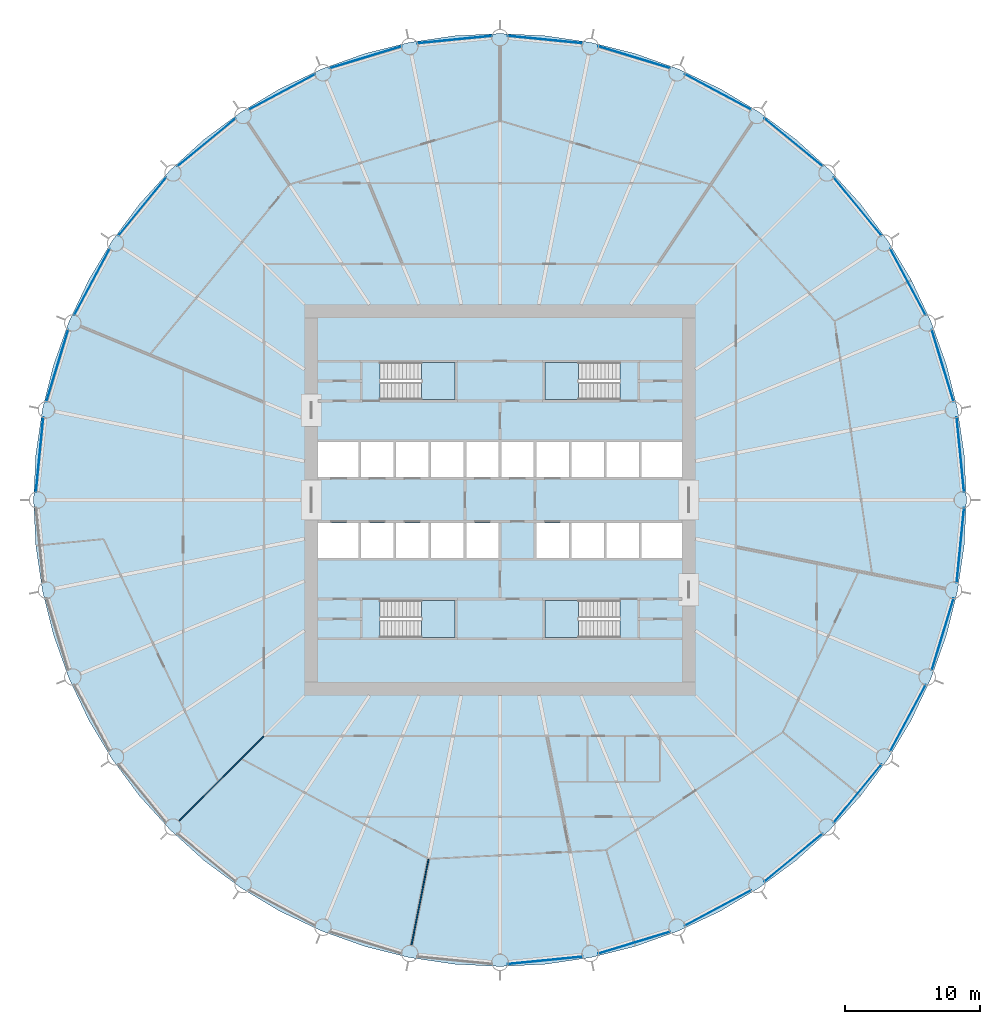
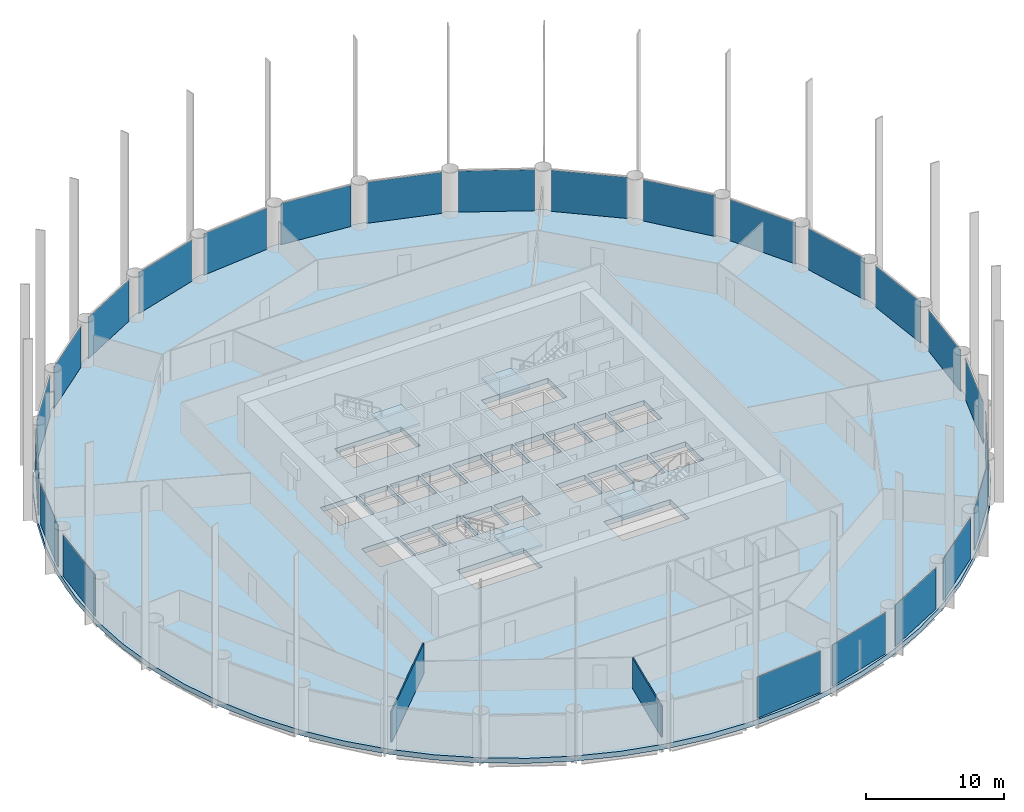
# One storey, part 3 of 10: 24 plates, 5 slabs, 2 walls, 28 elements without a shape of their own.
"""IFC4 building model written with IfcOpenShell, lengths in metres."""

from ifc_helpers import new_model, si_unit, direction, frame, frame_2d, origin, origin_2d, place, context, subcontext, project, spatial, polyline, rectangle, outline, extrude, material, layer, layer_set, type_object, element, aggregate, save


model = new_model("IFC4")

# Units and contexts
model_context = context("Model", 3, precision=1e-05, world=origin(), true_north=direction((0.0, 1.0)))
body_context = subcontext(model_context, "Body", "Model", "MODEL_VIEW")
ifc_project = project(units=[si_unit("LENGTHUNIT", "METRE"), si_unit("AREAUNIT", "SQUARE_METRE"), si_unit("VOLUMEUNIT", "CUBIC_METRE"), si_unit("PLANEANGLEUNIT", "RADIAN"), si_unit("MASSUNIT", "GRAM", prefix="KILO")], contexts=[model_context])

# Site, building, storey
site_placement = place(None, origin())
site = spatial("IfcSite", under=ifc_project, at=site_placement, CompositionType="ELEMENT")
building_placement = place(site_placement, origin())
building = spatial("IfcBuilding", under=site, at=building_placement, Name="Corvane Civic Tower", CompositionType="ELEMENT")
storey_placement = place(building_placement, frame((0.0, 0.0, 90.5)))
storey = spatial("IfcBuildingStorey", under=building, at=storey_placement, Name="L20", CompositionType="ELEMENT", Elevation=90.5)

# Stair, slab
ifc_material_1 = material(Name="Concrete C40/50", Category="concrete")
stair_type = type_object("IfcStairType", Name="ST-STAIR-HALFTURN", PredefinedType="HALF_TURN_STAIR", material=ifc_material_1)
stair_1_placement = place(storey_placement, origin())
stair_1 = element("IfcStair", 1, at=stair_1_placement, inside=storey, type_object=stair_type, Name="L20 Exit stair ST1", PredefinedType="HALF_TURN_STAIR")
ifc_material_2 = material(Name="Concrete C40/50", Category="concrete")
ifc_layer_1 = layer(ifc_material_2, 0.199951171875)
ifc_layer_set_1 = layer_set([ifc_layer_1], Name="Concrete C40/50")
slab_type_1 = type_object("IfcSlabType", Name="ST-LANDING-RC", PredefinedType="LANDING", material=ifc_layer_set_1)
slab_1_placement = place(storey_placement, frame((0.0, 0.0, 1.800048828125)))
slab_1 = element("IfcSlab", 2, at=slab_1_placement, type_object=slab_type_1, Name="ST1 landing 1", PredefinedType="LANDING", context=body_context, shape_type="SweptSolid", body=[
    extrude(outline(polyline([(5.820068359375, 10.199951171875), (3.35009765625, 10.199951171875), (3.35009765625, 7.449951171875), (5.820068359375, 7.449951171875), (5.820068359375, 10.199951171875)])), origin(), (0.0, 0.0, 1.0), 0.199951171875),
])
aggregate(stair_1, [slab_1])

stair_2_placement = place(storey_placement, origin())
stair_2 = element("IfcStair", 3, at=stair_2_placement, inside=storey, type_object=stair_type, Name="L20 Exit stair ST2", PredefinedType="HALF_TURN_STAIR")
slab_2_placement = place(storey_placement, frame((0.0, 0.0, 1.800048828125)))
slab_2 = element("IfcSlab", 4, at=slab_2_placement, type_object=slab_type_1, Name="ST2 landing 1", PredefinedType="LANDING", context=body_context, shape_type="SweptSolid", body=[
    extrude(outline(polyline([(5.820068359375, -7.449951171875), (3.35009765625, -7.449951171875), (3.35009765625, -10.199951171875), (5.820068359375, -10.199951171875), (5.820068359375, -7.449951171875)])), origin(), (0.0, 0.0, 1.0), 0.199951171875),
])
aggregate(stair_2, [slab_2])

stair_3_placement = place(storey_placement, origin())
stair_3 = element("IfcStair", 5, at=stair_3_placement, inside=storey, type_object=stair_type, Name="L20 Exit stair ST3", PredefinedType="HALF_TURN_STAIR")
slab_3_placement = place(storey_placement, frame((0.0, 0.0, 1.800048828125)))
slab_3 = element("IfcSlab", 6, at=slab_3_placement, type_object=slab_type_1, Name="ST3 landing 1", PredefinedType="LANDING", context=body_context, shape_type="SweptSolid", body=[
    extrude(outline(polyline([(-5.820068359375, -10.199951171875), (-3.35009765625, -10.199951171875), (-3.35009765625, -7.449951171875), (-5.820068359375, -7.449951171875), (-5.820068359375, -10.199951171875)])), origin(), (0.0, 0.0, 1.0), 0.199951171875),
])
aggregate(stair_3, [slab_3])

stair_4_placement = place(storey_placement, origin())
stair_4 = element("IfcStair", 7, at=stair_4_placement, inside=storey, type_object=stair_type, Name="L20 Exit stair ST4", PredefinedType="HALF_TURN_STAIR")
slab_4_placement = place(storey_placement, frame((0.0, 0.0, 1.800048828125)))
slab_4 = element("IfcSlab", 8, at=slab_4_placement, type_object=slab_type_1, Name="ST4 landing 1", PredefinedType="LANDING", context=body_context, shape_type="SweptSolid", body=[
    extrude(outline(polyline([(-5.820068359375, 7.449951171875), (-3.35009765625, 7.449951171875), (-3.35009765625, 10.199951171875), (-5.820068359375, 10.199951171875), (-5.820068359375, 7.449951171875)])), origin(), (0.0, 0.0, 1.0), 0.199951171875),
])
aggregate(stair_4, [slab_4])

# Curtain wall, plate
ifc_material_3 = material(Name="Anodised aluminium bronze", Category="aluminium")
curtain_wall_type = type_object("IfcCurtainWallType", Name="TOWER CW-T1 STICK CURTAIN WALL", PredefinedType="NOTDEFINED", material=ifc_material_3)
curtain_wall_1_placement = place(storey_placement, origin())
curtain_wall_1 = element("IfcCurtainWall", 9, at=curtain_wall_1_placement, inside=storey, type_object=curtain_wall_type, Name="Curtain wall CW-T1 L20 bay 01", PredefinedType="NOTDEFINED")
ifc_material_4 = material(Name="Tinted glass", Category="glass")
ifc_layer_2 = layer(ifc_material_4, 0.035888671875)
ifc_layer_set_2 = layer_set([ifc_layer_2], Name="Tinted glass")
plate_type = type_object("IfcPlateType", Name="TOWER CW-T1 PANEL IGU36", PredefinedType="CURTAIN_PANEL", material=ifc_layer_set_2)
plate_1_placement = place(storey_placement, frame((3.36328125, 34.148681640625, 0.0), z_axis=(0.0, 0.0, 1.0), x_axis=(0.995183788169, -0.098026668644, 0.0)))
plate_1 = element("IfcPlate", 10, at=plate_1_placement, type_object=plate_type, Name="Glass panel CW-T1 L20 01.1", PredefinedType="CURTAIN_PANEL", context=body_context, shape_type="SweptSolid", body=[
    extrude(rectangle(XDim=5.58642578125, YDim=0.035888671875, at=origin_2d()), origin(), (0.0, 0.0, 1.0), 3.6298828125),
])
aggregate(curtain_wall_1, [plate_1])

curtain_wall_2_placement = place(storey_placement, origin())
curtain_wall_2 = element("IfcCurtainWall", 11, at=curtain_wall_2_placement, inside=storey, type_object=curtain_wall_type, Name="Curtain wall CW-T1 L20 bay 02", PredefinedType="NOTDEFINED")
plate_2_placement = place(storey_placement, frame((9.9609375, 32.83642578125, 0.0), z_axis=(0.0, 0.0, 1.0), x_axis=(0.956945991488, -0.290266032073, 0.0)))
plate_2 = element("IfcPlate", 12, at=plate_2_placement, type_object=plate_type, Name="Glass panel CW-T1 L20 02.1", PredefinedType="CURTAIN_PANEL", context=body_context, shape_type="SweptSolid", body=[
    extrude(rectangle(XDim=5.58642578125, YDim=0.035888671875, at=origin_2d()), origin(), (0.0, 0.0, 1.0), 3.6298828125),
])
aggregate(curtain_wall_2, [plate_2])

curtain_wall_3_placement = place(storey_placement, origin())
curtain_wall_3 = element("IfcCurtainWall", 13, at=curtain_wall_3_placement, inside=storey, type_object=curtain_wall_type, Name="Curtain wall CW-T1 L20 bay 03", PredefinedType="NOTDEFINED")
plate_3_placement = place(storey_placement, frame((16.175537109375, 30.26220703125, 0.0), z_axis=(0.0, 0.0, 1.0), x_axis=(0.881923642976, -0.471392286699, 0.0)))
plate_3 = element("IfcPlate", 14, at=plate_3_placement, type_object=plate_type, Name="Glass panel CW-T1 L20 03.1", PredefinedType="CURTAIN_PANEL", context=body_context, shape_type="SweptSolid", body=[
    extrude(rectangle(XDim=5.586669921875, YDim=0.035888671875, at=origin_2d()), origin(), (0.0, 0.0, 1.0), 3.6298828125),
])
aggregate(curtain_wall_3, [plate_3])

curtain_wall_4_placement = place(storey_placement, origin())
curtain_wall_4 = element("IfcCurtainWall", 15, at=curtain_wall_4_placement, inside=storey, type_object=curtain_wall_type, Name="Curtain wall CW-T1 L20 bay 04", PredefinedType="NOTDEFINED")
plate_4_placement = place(storey_placement, frame((21.7685546875, 26.525146484375, 0.0), z_axis=(0.0, 0.0, 1.0), x_axis=(0.773013419843, -0.63438966948, 0.0)))
plate_4 = element("IfcPlate", 16, at=plate_4_placement, type_object=plate_type, Name="Glass panel CW-T1 L20 04.1", PredefinedType="CURTAIN_PANEL", context=body_context, shape_type="SweptSolid", body=[
    extrude(rectangle(XDim=5.58642578125, YDim=0.035888671875, at=origin_2d()), origin(), (0.0, 0.0, 1.0), 3.6298828125),
])
aggregate(curtain_wall_4, [plate_4])

curtain_wall_5_placement = place(storey_placement, origin())
curtain_wall_5 = element("IfcCurtainWall", 17, at=curtain_wall_5_placement, inside=storey, type_object=curtain_wall_type, Name="Curtain wall CW-T1 L20 bay 05", PredefinedType="NOTDEFINED")
plate_5_placement = place(storey_placement, frame((26.525146484375, 21.7685546875, 0.0), z_axis=(0.0, 0.0, 1.0), x_axis=(0.63438966948, -0.773013419843, 0.0)))
plate_5 = element("IfcPlate", 18, at=plate_5_placement, type_object=plate_type, Name="Glass panel CW-T1 L20 05.1", PredefinedType="CURTAIN_PANEL", context=body_context, shape_type="SweptSolid", body=[
    extrude(rectangle(XDim=5.58642578125, YDim=0.035888671875, at=origin_2d()), origin(), (0.0, 0.0, 1.0), 3.6298828125),
])
aggregate(curtain_wall_5, [plate_5])

curtain_wall_6_placement = place(storey_placement, origin())
curtain_wall_6 = element("IfcCurtainWall", 19, at=curtain_wall_6_placement, inside=storey, type_object=curtain_wall_type, Name="Curtain wall CW-T1 L20 bay 06", PredefinedType="NOTDEFINED")
plate_6_placement = place(storey_placement, frame((30.26220703125, 16.175537109375, 0.0), z_axis=(0.0, 0.0, 1.0), x_axis=(0.471392286699, -0.881923642976, 0.0)))
plate_6 = element("IfcPlate", 20, at=plate_6_placement, type_object=plate_type, Name="Glass panel CW-T1 L20 06.1", PredefinedType="CURTAIN_PANEL", context=body_context, shape_type="SweptSolid", body=[
    extrude(rectangle(XDim=5.586669921875, YDim=0.035888671875, at=origin_2d()), origin(), (0.0, 0.0, 1.0), 3.6298828125),
])
aggregate(curtain_wall_6, [plate_6])

curtain_wall_7_placement = place(storey_placement, origin())
curtain_wall_7 = element("IfcCurtainWall", 21, at=curtain_wall_7_placement, inside=storey, type_object=curtain_wall_type, Name="Curtain wall CW-T1 L20 bay 07", PredefinedType="NOTDEFINED")
plate_7_placement = place(storey_placement, frame((32.83642578125, 9.9609375, 0.0), z_axis=(0.0, 0.0, 1.0), x_axis=(0.290266032073, -0.956945991488, 0.0)))
plate_7 = element("IfcPlate", 22, at=plate_7_placement, type_object=plate_type, Name="Glass panel CW-T1 L20 07.1", PredefinedType="CURTAIN_PANEL", context=body_context, shape_type="SweptSolid", body=[
    extrude(rectangle(XDim=5.58642578125, YDim=0.035888671875, at=origin_2d()), origin(), (0.0, 0.0, 1.0), 3.6298828125),
])
aggregate(curtain_wall_7, [plate_7])

curtain_wall_8_placement = place(storey_placement, origin())
curtain_wall_8 = element("IfcCurtainWall", 23, at=curtain_wall_8_placement, inside=storey, type_object=curtain_wall_type, Name="Curtain wall CW-T1 L20 bay 08", PredefinedType="NOTDEFINED")
plate_8_placement = place(storey_placement, frame((34.148681640625, 3.36328125, 0.0), z_axis=(0.0, 0.0, 1.0), x_axis=(0.098026668644, -0.995183788169, 0.0)))
plate_8 = element("IfcPlate", 24, at=plate_8_placement, type_object=plate_type, Name="Glass panel CW-T1 L20 08.1", PredefinedType="CURTAIN_PANEL", context=body_context, shape_type="SweptSolid", body=[
    extrude(rectangle(XDim=5.58642578125, YDim=0.035888671875, at=origin_2d()), origin(), (0.0, 0.0, 1.0), 3.6298828125),
])
aggregate(curtain_wall_8, [plate_8])

curtain_wall_9_placement = place(storey_placement, origin())
curtain_wall_9 = element("IfcCurtainWall", 25, at=curtain_wall_9_placement, inside=storey, type_object=curtain_wall_type, Name="Curtain wall CW-T1 L20 bay 09", PredefinedType="NOTDEFINED")
plate_9_placement = place(storey_placement, frame((34.148681640625, -3.36328125, 0.0), z_axis=(0.0, 0.0, 1.0), x_axis=(-0.098026668644, -0.995183788169, 0.0)))
plate_9 = element("IfcPlate", 26, at=plate_9_placement, type_object=plate_type, Name="Glass panel CW-T1 L20 09.1", PredefinedType="CURTAIN_PANEL", context=body_context, shape_type="SweptSolid", body=[
    extrude(rectangle(XDim=5.58642578125, YDim=0.035888671875, at=origin_2d()), origin(), (0.0, 0.0, 1.0), 3.6298828125),
])
aggregate(curtain_wall_9, [plate_9])

curtain_wall_10_placement = place(storey_placement, origin())
curtain_wall_10 = element("IfcCurtainWall", 27, at=curtain_wall_10_placement, inside=storey, type_object=curtain_wall_type, Name="Curtain wall CW-T1 L20 bay 10", PredefinedType="NOTDEFINED")
plate_10_placement = place(storey_placement, frame((32.83642578125, -9.9609375, 0.0), z_axis=(0.0, 0.0, 1.0), x_axis=(-0.290266032073, -0.956945991488, 0.0)))
plate_10 = element("IfcPlate", 28, at=plate_10_placement, type_object=plate_type, Name="Glass panel CW-T1 L20 10.1", PredefinedType="CURTAIN_PANEL", context=body_context, shape_type="SweptSolid", body=[
    extrude(rectangle(XDim=5.58642578125, YDim=0.035888671875, at=origin_2d()), origin(), (0.0, 0.0, 1.0), 3.6298828125),
])
aggregate(curtain_wall_10, [plate_10])

curtain_wall_11_placement = place(storey_placement, origin())
curtain_wall_11 = element("IfcCurtainWall", 29, at=curtain_wall_11_placement, inside=storey, type_object=curtain_wall_type, Name="Curtain wall CW-T1 L20 bay 11", PredefinedType="NOTDEFINED")
plate_11_placement = place(storey_placement, frame((30.26220703125, -16.175537109375, 0.0), z_axis=(0.0, 0.0, 1.0), x_axis=(-0.471392286699, -0.881923642976, 0.0)))
plate_11 = element("IfcPlate", 30, at=plate_11_placement, type_object=plate_type, Name="Glass panel CW-T1 L20 11.1", PredefinedType="CURTAIN_PANEL", context=body_context, shape_type="SweptSolid", body=[
    extrude(rectangle(XDim=5.586669921875, YDim=0.035888671875, at=origin_2d()), origin(), (0.0, 0.0, 1.0), 3.6298828125),
])
aggregate(curtain_wall_11, [plate_11])

curtain_wall_12_placement = place(storey_placement, origin())
curtain_wall_12 = element("IfcCurtainWall", 31, at=curtain_wall_12_placement, inside=storey, type_object=curtain_wall_type, Name="Curtain wall CW-T1 L20 bay 12", PredefinedType="NOTDEFINED")
plate_12_placement = place(storey_placement, frame((26.525146484375, -21.7685546875, 0.0), z_axis=(0.0, 0.0, 1.0), x_axis=(-0.63438966948, -0.773013419843, 0.0)))
plate_12 = element("IfcPlate", 32, at=plate_12_placement, type_object=plate_type, Name="Glass panel CW-T1 L20 12.1", PredefinedType="CURTAIN_PANEL", context=body_context, shape_type="SweptSolid", body=[
    extrude(rectangle(XDim=5.58642578125, YDim=0.035888671875, at=origin_2d()), origin(), (0.0, 0.0, 1.0), 3.6298828125),
])
aggregate(curtain_wall_12, [plate_12])

curtain_wall_13_placement = place(storey_placement, origin())
curtain_wall_13 = element("IfcCurtainWall", 33, at=curtain_wall_13_placement, inside=storey, type_object=curtain_wall_type, Name="Curtain wall CW-T1 L20 bay 13", PredefinedType="NOTDEFINED")
plate_13_placement = place(storey_placement, frame((21.7685546875, -26.525146484375, 0.0), z_axis=(0.0, 0.0, 1.0), x_axis=(-0.773013419843, -0.63438966948, 0.0)))
plate_13 = element("IfcPlate", 34, at=plate_13_placement, type_object=plate_type, Name="Glass panel CW-T1 L20 13.1", PredefinedType="CURTAIN_PANEL", context=body_context, shape_type="SweptSolid", body=[
    extrude(rectangle(XDim=5.58642578125, YDim=0.035888671875, at=origin_2d()), origin(), (0.0, 0.0, 1.0), 3.6298828125),
])
aggregate(curtain_wall_13, [plate_13])

curtain_wall_14_placement = place(storey_placement, origin())
curtain_wall_14 = element("IfcCurtainWall", 35, at=curtain_wall_14_placement, inside=storey, type_object=curtain_wall_type, Name="Curtain wall CW-T1 L20 bay 14", PredefinedType="NOTDEFINED")
plate_14_placement = place(storey_placement, frame((16.175537109375, -30.26220703125, 0.0), z_axis=(0.0, 0.0, 1.0), x_axis=(-0.881923642976, -0.471392286699, 0.0)))
plate_14 = element("IfcPlate", 36, at=plate_14_placement, type_object=plate_type, Name="Glass panel CW-T1 L20 14.1", PredefinedType="CURTAIN_PANEL", context=body_context, shape_type="SweptSolid", body=[
    extrude(rectangle(XDim=5.586669921875, YDim=0.035888671875, at=origin_2d()), origin(), (0.0, 0.0, 1.0), 3.6298828125),
])
aggregate(curtain_wall_14, [plate_14])

curtain_wall_15_placement = place(storey_placement, origin())
curtain_wall_15 = element("IfcCurtainWall", 37, at=curtain_wall_15_placement, inside=storey, type_object=curtain_wall_type, Name="Curtain wall CW-T1 L20 bay 15", PredefinedType="NOTDEFINED")
plate_15_placement = place(storey_placement, frame((9.9609375, -32.83642578125, 0.0), z_axis=(0.0, 0.0, 1.0), x_axis=(-0.956945991488, -0.290266032073, 0.0)))
plate_15 = element("IfcPlate", 38, at=plate_15_placement, type_object=plate_type, Name="Glass panel CW-T1 L20 15.1", PredefinedType="CURTAIN_PANEL", context=body_context, shape_type="SweptSolid", body=[
    extrude(rectangle(XDim=5.58642578125, YDim=0.035888671875, at=origin_2d()), origin(), (0.0, 0.0, 1.0), 3.6298828125),
])
aggregate(curtain_wall_15, [plate_15])

curtain_wall_16_placement = place(storey_placement, origin())
curtain_wall_16 = element("IfcCurtainWall", 39, at=curtain_wall_16_placement, inside=storey, type_object=curtain_wall_type, Name="Curtain wall CW-T1 L20 bay 16", PredefinedType="NOTDEFINED")
plate_16_placement = place(storey_placement, frame((3.36328125, -34.148681640625, 0.0), z_axis=(0.0, 0.0, 1.0), x_axis=(-0.995183788169, -0.098026668644, 0.0)))
plate_16 = element("IfcPlate", 40, at=plate_16_placement, type_object=plate_type, Name="Glass panel CW-T1 L20 16.1", PredefinedType="CURTAIN_PANEL", context=body_context, shape_type="SweptSolid", body=[
    extrude(rectangle(XDim=5.58642578125, YDim=0.035888671875, at=origin_2d()), origin(), (0.0, 0.0, 1.0), 3.6298828125),
])
aggregate(curtain_wall_16, [plate_16])

curtain_wall_17_placement = place(storey_placement, origin())
curtain_wall_17 = element("IfcCurtainWall", 41, at=curtain_wall_17_placement, inside=storey, type_object=curtain_wall_type, Name="Curtain wall CW-T1 L20 bay 25", PredefinedType="NOTDEFINED")
plate_17_placement = place(storey_placement, frame((-34.148681640625, 3.36328125, 0.0), z_axis=(0.0, 0.0, 1.0), x_axis=(0.098026668644, 0.995183788169, 0.0)))
plate_17 = element("IfcPlate", 42, at=plate_17_placement, type_object=plate_type, Name="Glass panel CW-T1 L20 25.1", PredefinedType="CURTAIN_PANEL", context=body_context, shape_type="SweptSolid", body=[
    extrude(rectangle(XDim=5.58642578125, YDim=0.035888671875, at=origin_2d()), origin(), (0.0, 0.0, 1.0), 3.6298828125),
])
aggregate(curtain_wall_17, [plate_17])

curtain_wall_18_placement = place(storey_placement, origin())
curtain_wall_18 = element("IfcCurtainWall", 43, at=curtain_wall_18_placement, inside=storey, type_object=curtain_wall_type, Name="Curtain wall CW-T1 L20 bay 26", PredefinedType="NOTDEFINED")
plate_18_placement = place(storey_placement, frame((-32.83642578125, 9.9609375, 0.0), z_axis=(0.0, 0.0, 1.0), x_axis=(0.290266032073, 0.956945991488, 0.0)))
plate_18 = element("IfcPlate", 44, at=plate_18_placement, type_object=plate_type, Name="Glass panel CW-T1 L20 26.1", PredefinedType="CURTAIN_PANEL", context=body_context, shape_type="SweptSolid", body=[
    extrude(rectangle(XDim=5.58642578125, YDim=0.035888671875, at=origin_2d()), origin(), (0.0, 0.0, 1.0), 3.6298828125),
])
aggregate(curtain_wall_18, [plate_18])

curtain_wall_19_placement = place(storey_placement, origin())
curtain_wall_19 = element("IfcCurtainWall", 45, at=curtain_wall_19_placement, inside=storey, type_object=curtain_wall_type, Name="Curtain wall CW-T1 L20 bay 27", PredefinedType="NOTDEFINED")
plate_19_placement = place(storey_placement, frame((-30.26220703125, 16.175537109375, 0.0), z_axis=(0.0, 0.0, 1.0), x_axis=(0.471392286699, 0.881923642976, 0.0)))
plate_19 = element("IfcPlate", 46, at=plate_19_placement, type_object=plate_type, Name="Glass panel CW-T1 L20 27.1", PredefinedType="CURTAIN_PANEL", context=body_context, shape_type="SweptSolid", body=[
    extrude(rectangle(XDim=5.586669921875, YDim=0.035888671875, at=origin_2d()), origin(), (0.0, 0.0, 1.0), 3.6298828125),
])
aggregate(curtain_wall_19, [plate_19])

curtain_wall_20_placement = place(storey_placement, origin())
curtain_wall_20 = element("IfcCurtainWall", 47, at=curtain_wall_20_placement, inside=storey, type_object=curtain_wall_type, Name="Curtain wall CW-T1 L20 bay 28", PredefinedType="NOTDEFINED")
plate_20_placement = place(storey_placement, frame((-26.525146484375, 21.7685546875, 0.0), z_axis=(0.0, 0.0, 1.0), x_axis=(0.63438966948, 0.773013419843, 0.0)))
plate_20 = element("IfcPlate", 48, at=plate_20_placement, type_object=plate_type, Name="Glass panel CW-T1 L20 28.1", PredefinedType="CURTAIN_PANEL", context=body_context, shape_type="SweptSolid", body=[
    extrude(rectangle(XDim=5.58642578125, YDim=0.035888671875, at=origin_2d()), origin(), (0.0, 0.0, 1.0), 3.6298828125),
])
aggregate(curtain_wall_20, [plate_20])

curtain_wall_21_placement = place(storey_placement, origin())
curtain_wall_21 = element("IfcCurtainWall", 49, at=curtain_wall_21_placement, inside=storey, type_object=curtain_wall_type, Name="Curtain wall CW-T1 L20 bay 29", PredefinedType="NOTDEFINED")
plate_21_placement = place(storey_placement, frame((-21.7685546875, 26.525146484375, 0.0), z_axis=(0.0, 0.0, 1.0), x_axis=(0.773013419843, 0.63438966948, 0.0)))
plate_21 = element("IfcPlate", 50, at=plate_21_placement, type_object=plate_type, Name="Glass panel CW-T1 L20 29.1", PredefinedType="CURTAIN_PANEL", context=body_context, shape_type="SweptSolid", body=[
    extrude(rectangle(XDim=5.58642578125, YDim=0.035888671875, at=origin_2d()), origin(), (0.0, 0.0, 1.0), 3.6298828125),
])
aggregate(curtain_wall_21, [plate_21])

curtain_wall_22_placement = place(storey_placement, origin())
curtain_wall_22 = element("IfcCurtainWall", 51, at=curtain_wall_22_placement, inside=storey, type_object=curtain_wall_type, Name="Curtain wall CW-T1 L20 bay 30", PredefinedType="NOTDEFINED")
plate_22_placement = place(storey_placement, frame((-16.175537109375, 30.26220703125, 0.0), z_axis=(0.0, 0.0, 1.0), x_axis=(0.881923642976, 0.471392286699, 0.0)))
plate_22 = element("IfcPlate", 52, at=plate_22_placement, type_object=plate_type, Name="Glass panel CW-T1 L20 30.1", PredefinedType="CURTAIN_PANEL", context=body_context, shape_type="SweptSolid", body=[
    extrude(rectangle(XDim=5.586669921875, YDim=0.035888671875, at=origin_2d()), origin(), (0.0, 0.0, 1.0), 3.6298828125),
])
aggregate(curtain_wall_22, [plate_22])

curtain_wall_23_placement = place(storey_placement, origin())
curtain_wall_23 = element("IfcCurtainWall", 53, at=curtain_wall_23_placement, inside=storey, type_object=curtain_wall_type, Name="Curtain wall CW-T1 L20 bay 31", PredefinedType="NOTDEFINED")
plate_23_placement = place(storey_placement, frame((-9.9609375, 32.83642578125, 0.0), z_axis=(0.0, 0.0, 1.0), x_axis=(0.956945991488, 0.290266032073, 0.0)))
plate_23 = element("IfcPlate", 54, at=plate_23_placement, type_object=plate_type, Name="Glass panel CW-T1 L20 31.1", PredefinedType="CURTAIN_PANEL", context=body_context, shape_type="SweptSolid", body=[
    extrude(rectangle(XDim=5.58642578125, YDim=0.035888671875, at=origin_2d()), origin(), (0.0, 0.0, 1.0), 3.6298828125),
])
aggregate(curtain_wall_23, [plate_23])

curtain_wall_24_placement = place(storey_placement, origin())
curtain_wall_24 = element("IfcCurtainWall", 55, at=curtain_wall_24_placement, inside=storey, type_object=curtain_wall_type, Name="Curtain wall CW-T1 L20 bay 32", PredefinedType="NOTDEFINED")
plate_24_placement = place(storey_placement, frame((-3.36328125, 34.148681640625, 0.0), z_axis=(0.0, 0.0, 1.0), x_axis=(0.995183788169, 0.098026668644, 0.0)))
plate_24 = element("IfcPlate", 56, at=plate_24_placement, type_object=plate_type, Name="Glass panel CW-T1 L20 32.1", PredefinedType="CURTAIN_PANEL", context=body_context, shape_type="SweptSolid", body=[
    extrude(rectangle(XDim=5.58642578125, YDim=0.035888671875, at=origin_2d()), origin(), (0.0, 0.0, 1.0), 3.6298828125),
])
aggregate(curtain_wall_24, [plate_24])

# Slab
ifc_material_5 = material(Name="Concrete C50/60", Category="concrete")
ifc_layer_3 = layer(ifc_material_5, 0.449951171875)
ifc_layer_set_3 = layer_set([ifc_layer_3], Name="Concrete C50/60")
slab_type_2 = type_object("IfcSlabType", Name="TRANSFER FLOOR SLAB 450", PredefinedType="FLOOR", material=ifc_layer_set_3)
slab_5_placement = place(storey_placement, frame((0.0, 0.0, -0.449951171875)))
element("IfcSlab", 57, at=slab_5_placement, inside=storey, type_object=slab_type_2, Name="SLB-L20", PredefinedType="FLOOR", context=body_context, shape_type="SweptSolid", body=[
    extrude(outline(polyline([(0.0, 34.60009765625), (-3.391357421875, 34.433349609375), (-6.750244140625, 33.93505859375), (-10.0439453125, 33.110107421875), (-13.240966796875, 31.96630859375), (-16.310302734375, 30.514404296875), (-19.22265625, 28.768798828125), (-21.949951171875, 26.74609375), (-24.4658203125, 24.4658203125), (-26.74609375, 21.949951171875), (-28.768798828125, 19.22265625), (-30.514404296875, 16.310302734375), (-31.96630859375, 13.240966796875), (-33.110107421875, 10.0439453125), (-33.93505859375, 6.750244140625), (-34.433349609375, 3.391357421875), (-34.60009765625, 0.0), (-34.433349609375, -3.391357421875), (-33.93505859375, -6.750244140625), (-33.110107421875, -10.0439453125), (-31.96630859375, -13.240966796875), (-30.514404296875, -16.310302734375), (-28.768798828125, -19.22265625), (-26.74609375, -21.949951171875), (-24.4658203125, -24.4658203125), (-21.949951171875, -26.74609375), (-19.22265625, -28.768798828125), (-16.310302734375, -30.514404296875), (-13.240966796875, -31.96630859375), (-10.0439453125, -33.110107421875), (-6.750244140625, -33.93505859375), (-3.391357421875, -34.433349609375), (0.0, -34.60009765625), (3.391357421875, -34.433349609375), (6.750244140625, -33.93505859375), (10.0439453125, -33.110107421875), (13.240966796875, -31.96630859375), (16.310302734375, -30.514404296875), (19.22265625, -28.768798828125), (21.949951171875, -26.74609375), (24.4658203125, -24.4658203125), (26.74609375, -21.949951171875), (28.768798828125, -19.22265625), (30.514404296875, -16.310302734375), (31.96630859375, -13.240966796875), (33.110107421875, -10.0439453125), (33.93505859375, -6.750244140625), (34.433349609375, -3.391357421875), (34.60009765625, 0.0), (34.433349609375, 3.391357421875), (33.93505859375, 6.750244140625), (33.110107421875, 10.0439453125), (31.96630859375, 13.240966796875), (30.514404296875, 16.310302734375), (28.768798828125, 19.22265625), (26.74609375, 21.949951171875), (24.4658203125, 24.4658203125), (21.949951171875, 26.74609375), (19.22265625, 28.768798828125), (16.310302734375, 30.514404296875), (13.240966796875, 31.96630859375), (10.0439453125, 33.110107421875), (6.750244140625, 33.93505859375), (3.391357421875, 34.433349609375), (0.0, 34.60009765625)]), holes=[polyline([(-13.5, 4.300048828125), (-10.5, 4.300048828125), (-10.5, 1.699951171875), (-13.5, 1.699951171875), (-13.5, 4.300048828125)]), polyline([(-7.89990234375, 1.699951171875), (-10.300048828125, 1.699951171875), (-10.300048828125, 4.300048828125), (-7.89990234375, 4.300048828125), (-7.89990234375, 1.699951171875)]), polyline([(-7.699951171875, 4.300048828125), (-5.300048828125, 4.300048828125), (-5.300048828125, 1.699951171875), (-7.699951171875, 1.699951171875), (-7.699951171875, 4.300048828125)]), polyline([(-5.10009765625, 4.300048828125), (-2.699951171875, 4.300048828125), (-2.699951171875, 1.699951171875), (-5.10009765625, 1.699951171875), (-5.10009765625, 4.300048828125)]), polyline([(-0.10009765625, 1.699951171875), (-2.5, 1.699951171875), (-2.5, 4.300048828125), (-0.10009765625, 4.300048828125), (-0.10009765625, 1.699951171875)]), polyline([(2.5, 1.699951171875), (0.10009765625, 1.699951171875), (0.10009765625, 4.300048828125), (2.5, 4.300048828125), (2.5, 1.699951171875)]), polyline([(5.10009765625, 1.699951171875), (2.699951171875, 1.699951171875), (2.699951171875, 4.300048828125), (5.10009765625, 4.300048828125), (5.10009765625, 1.699951171875)]), polyline([(5.300048828125, 4.300048828125), (7.699951171875, 4.300048828125), (7.699951171875, 1.699951171875), (5.300048828125, 1.699951171875), (5.300048828125, 4.300048828125)]), polyline([(7.89990234375, 4.300048828125), (10.300048828125, 4.300048828125), (10.300048828125, 1.699951171875), (7.89990234375, 1.699951171875), (7.89990234375, 4.300048828125)]), polyline([(13.5, 1.699951171875), (10.5, 1.699951171875), (10.5, 4.300048828125), (13.5, 4.300048828125), (13.5, 1.699951171875)]), polyline([(-13.5, -1.699951171875), (-10.5, -1.699951171875), (-10.5, -4.300048828125), (-13.5, -4.300048828125), (-13.5, -1.699951171875)]), polyline([(-7.89990234375, -1.699951171875), (-7.89990234375, -4.300048828125), (-10.300048828125, -4.300048828125), (-10.300048828125, -1.699951171875), (-7.89990234375, -1.699951171875)]), polyline([(-5.300048828125, -1.699951171875), (-5.300048828125, -4.300048828125), (-7.699951171875, -4.300048828125), (-7.699951171875, -1.699951171875), (-5.300048828125, -1.699951171875)]), polyline([(-2.699951171875, -1.699951171875), (-2.699951171875, -4.300048828125), (-5.10009765625, -4.300048828125), (-5.10009765625, -1.699951171875), (-2.699951171875, -1.699951171875)]), polyline([(-2.5, -4.300048828125), (-2.5, -1.699951171875), (-0.10009765625, -1.699951171875), (-0.10009765625, -4.300048828125), (-2.5, -4.300048828125)]), polyline([(5.10009765625, -1.699951171875), (5.10009765625, -4.300048828125), (2.699951171875, -4.300048828125), (2.699951171875, -1.699951171875), (5.10009765625, -1.699951171875)]), polyline([(7.699951171875, -1.699951171875), (7.699951171875, -4.300048828125), (5.300048828125, -4.300048828125), (5.300048828125, -1.699951171875), (7.699951171875, -1.699951171875)]), polyline([(10.300048828125, -1.699951171875), (10.300048828125, -4.300048828125), (7.89990234375, -4.300048828125), (7.89990234375, -1.699951171875), (10.300048828125, -1.699951171875)]), polyline([(13.5, -4.300048828125), (10.5, -4.300048828125), (10.5, -1.699951171875), (13.5, -1.699951171875), (13.5, -4.300048828125)]), polyline([(8.889892578125, 10.199951171875), (8.889892578125, 7.449951171875), (3.35009765625, 7.449951171875), (3.35009765625, 10.199951171875), (8.889892578125, 10.199951171875)]), polyline([(-8.889892578125, 7.449951171875), (-8.889892578125, 10.199951171875), (-3.35009765625, 10.199951171875), (-3.35009765625, 7.449951171875), (-8.889892578125, 7.449951171875)]), polyline([(8.889892578125, -7.449951171875), (8.889892578125, -10.199951171875), (3.35009765625, -10.199951171875), (3.35009765625, -7.449951171875), (8.889892578125, -7.449951171875)]), polyline([(-8.889892578125, -10.199951171875), (-8.889892578125, -7.449951171875), (-3.35009765625, -7.449951171875), (-3.35009765625, -10.199951171875), (-8.889892578125, -10.199951171875)])]), origin(), (0.0, 0.0, 1.0), 0.449951171875),
])

# Walls
ifc_material_6 = material(Name="Plasterboard")
ifc_layer_4 = layer(ifc_material_6, 0.10009765625)
ifc_layer_set_4 = layer_set([ifc_layer_4], Name="Plasterboard")
wall_type = type_object("IfcWallType", Name="Partition 100 plasterboard on studs", PredefinedType="PARTITIONING", material=ifc_layer_set_4)
wall_1_placement = place(storey_placement, frame((-6.567626953125, -33.01806640625, 0.0), z_axis=(0.0, 0.0, 1.0), x_axis=(0.195102376112, 0.980782882617, 0.0)))
element("IfcWall", 58, at=wall_1_placement, inside=storey, type_object=wall_type, Name="Partition L20.002", PredefinedType="PARTITIONING", context=body_context, shape_type="SweptSolid", body=[
    extrude(rectangle(XDim=6.484375, YDim=0.10009765625, at=frame_2d((3.2421875, 0.0))), origin(), (0.0, 0.0, 1.0), 2.699951171875),
])
wall_2_placement = place(storey_placement, frame((-23.8046875, -23.8046875, 0.0), z_axis=(0.0, 0.0, 1.0), x_axis=(0.707106781187, 0.707106781187, 0.0)))
element("IfcWall", 59, at=wall_2_placement, inside=storey, type_object=wall_type, Name="Partition L20.007", PredefinedType="PARTITIONING", context=body_context, shape_type="SweptSolid", body=[
    extrude(rectangle(XDim=8.8955078125, YDim=0.10009765625, at=frame_2d((4.44775390625, 0.0))), origin(), (0.0, 0.0, 1.0), 2.699951171875),
])

save(model, "model.ifc")
